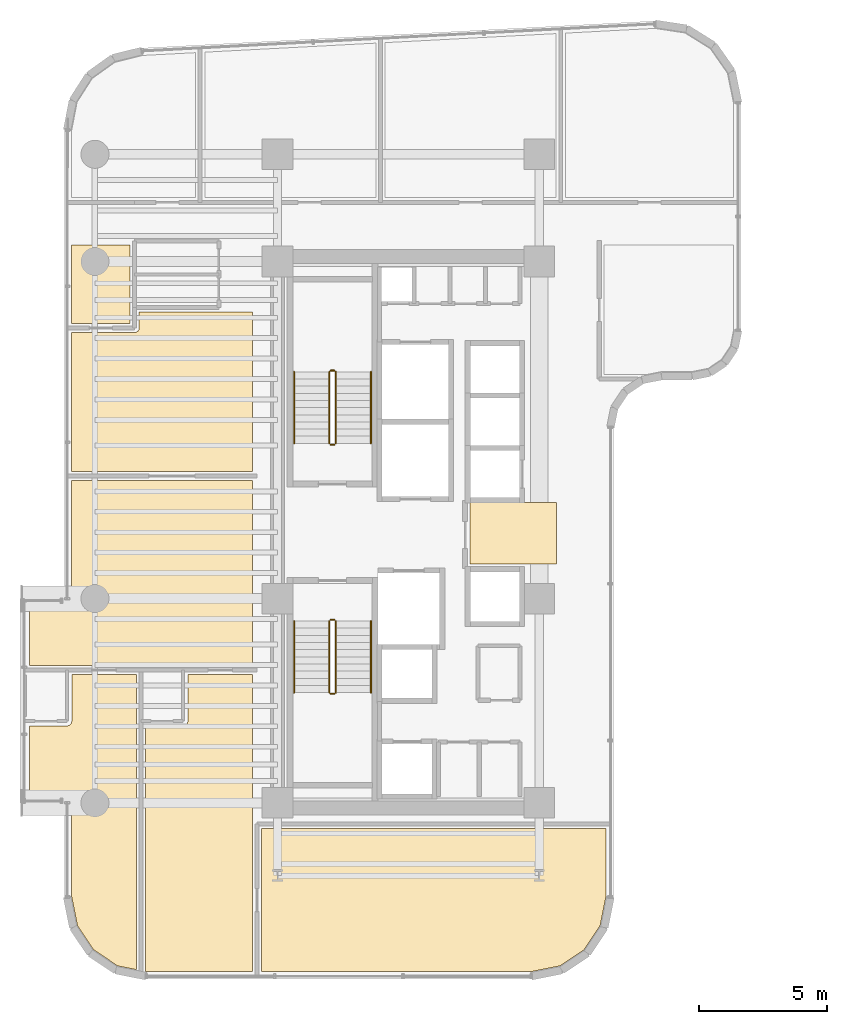
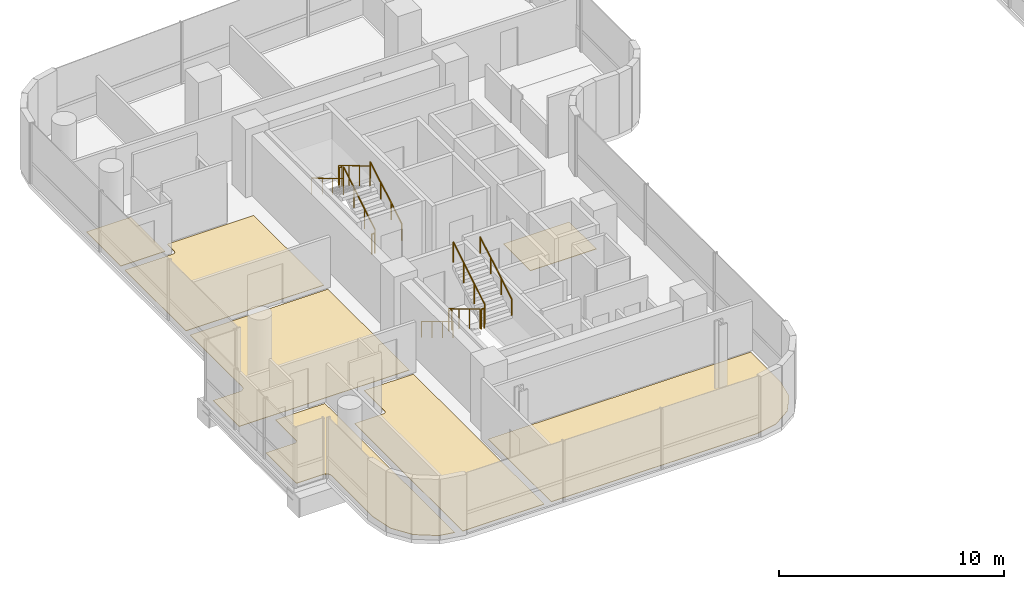
# One storey, part 32 of 35: 12 railings, 7 coverings.
"""IFC4 building model written with IfcOpenShell, lengths in metres."""

import ifcopenshell
import ifcopenshell.guid

model = None  # the IFC model being written
_history = None  # IfcOwnerHistory: only IFC2X3 demands one
_inside = {}  # id of a spatial element -> (the spatial element, [elements in it])
_under = {}  # id of a project, library or spatial element -> (it, [spatial elements below it])
_declared = {}  # id of a project -> (the project, [libraries it declares])
_typed = {}  # id of a type object -> (the type object, [elements of that type])
_made_of = {}  # id of a material, layer set ... -> (it, [elements and type objects made of it])


def new_model(schema):
    """Start an empty IFC model of exactly this schema.

    Asked for "IFC4X3", IfcOpenShell would pick the latest addendum, in which some entities
    have other attributes; the version numbers below select the first issue.
    IFC2X3 requires an IfcOwnerHistory on every rooted entity: one is made here for all.
    """
    global model, _history
    if schema == "IFC4X3":
        model = ifcopenshell.file(schema_version=(4, 3, 0, 0))
    else:
        model = ifcopenshell.file(schema=schema)
    _inside.clear()
    _under.clear()
    _declared.clear()
    _typed.clear()
    _made_of.clear()
    _history = None
    if model.schema == "IFC2X3":
        org = make("IfcOrganization", Name="unknown")
        user = make(
            "IfcPersonAndOrganization",
            ThePerson=make("IfcPerson", FamilyName="unknown"),
            TheOrganization=org,
        )
        app = make(
            "IfcApplication",
            ApplicationDeveloper=org,
            Version="unknown",
            ApplicationFullName="unknown",
            ApplicationIdentifier="unknown",
        )
        _history = make(
            "IfcOwnerHistory",
            OwningUser=user,
            OwningApplication=app,
            ChangeAction="ADDED",
            CreationDate=0,
        )
    return model


def make(cls, **values):
    """One entity of the class cls with the attributes given. An attribute that is None is left unset."""
    return model.create_entity(
        cls, **{name: value for name, value in values.items() if value is not None}
    )


def rooted(cls, **values):
    """An entity with a GlobalId (a new one), such as an element, a storey or a relation."""
    return make(cls, GlobalId=ifcopenshell.guid.new(), OwnerHistory=_history, **values)


def si_unit(unit_type, name, prefix=None):
    """IfcSIUnit, for example si_unit("LENGTHUNIT", "METRE", prefix="MILLI")."""
    return make("IfcSIUnit", UnitType=unit_type, Prefix=prefix, Name=name)


def assignment(units):
    """IfcUnitAssignment: the units of a project."""
    return None if units is None else make("IfcUnitAssignment", Units=units)


def point(xyz):
    """IfcCartesianPoint."""
    return None if xyz is None else make("IfcCartesianPoint", Coordinates=xyz)


def direction(xyz):
    """IfcDirection."""
    return None if xyz is None else make("IfcDirection", DirectionRatios=xyz)


def frame(location, z_axis=None, x_axis=None):
    """IfcAxis2Placement3D, a coordinate frame: its origin and axes. An axis left out is left unset."""
    return make(
        "IfcAxis2Placement3D",
        Location=point(location),
        Axis=direction(z_axis),
        RefDirection=direction(x_axis),
    )


def frame_2d(location, x_axis=None):
    """IfcAxis2Placement2D, a coordinate frame in the plane: its origin and x axis."""
    return make(
        "IfcAxis2Placement2D", Location=point(location), RefDirection=direction(x_axis)
    )


def origin():
    """The frame at (0, 0, 0) with its axes left unset."""
    return frame((0.0, 0.0, 0.0))


def origin_2d():
    """The frame at (0, 0) in the plane with its x axis left unset."""
    return frame_2d((0.0, 0.0))


def place(relative_to, where):
    """IfcLocalPlacement: puts the frame where relative to a parent placement (None: the world)."""
    return make(
        "IfcLocalPlacement", PlacementRelTo=relative_to, RelativePlacement=where
    )


def context(
    kind, dimensions, precision=None, world=None, true_north=None, identifier=None
):
    """IfcGeometricRepresentationContext, for example the 3D "Model" context."""
    return make(
        "IfcGeometricRepresentationContext",
        ContextIdentifier=identifier,
        ContextType=kind,
        CoordinateSpaceDimension=dimensions,
        Precision=precision,
        WorldCoordinateSystem=world,
        TrueNorth=true_north,
    )


def subcontext(parent, identifier, kind, view, scale=None):
    """IfcGeometricRepresentationSubContext, for example "Body" below "Model"."""
    return make(
        "IfcGeometricRepresentationSubContext",
        ContextIdentifier=identifier,
        ContextType=kind,
        ParentContext=parent,
        TargetScale=scale,
        TargetView=view,
    )


def project(units=None, contexts=None):
    """IfcProject with its units and contexts."""
    return rooted(
        "IfcProject",
        Name="project",
        RepresentationContexts=contexts,
        UnitsInContext=assignment(units),
    )


def spatial(cls, under=None, at=None, **own):
    """A site, building, storey or space (cls), placed at a placement, below another one or the project."""
    s = rooted(cls, ObjectPlacement=at, **own)
    if under is not None:
        _under.setdefault(under.id(), (under, []))[1].append(s)
    return s


def polyline(points):
    """IfcPolyline through the points."""
    return make("IfcPolyline", Points=[point(p) for p in points])


def profile(cls, at=None, kind="AREA", **sizes):
    """A parametric profile (cls). Its sizes go by their IFC names, for example OverallWidth=200.0."""
    return make(cls, ProfileType=kind, Position=at, **sizes)


def circle(**sizes):
    """IfcCircleProfileDef."""
    return profile("IfcCircleProfileDef", **sizes)


def outline(outer, holes=None, kind="AREA"):
    """IfcArbitraryClosedProfileDef: a profile drawn as a closed curve; with holes, ...WithVoids."""
    if holes is None:
        return make("IfcArbitraryClosedProfileDef", ProfileType=kind, OuterCurve=outer)
    return make(
        "IfcArbitraryProfileDefWithVoids",
        ProfileType=kind,
        OuterCurve=outer,
        InnerCurves=holes,
    )


def extrude(swept, where, along, depth):
    """IfcExtrudedAreaSolid: the profile swept, set in the frame where, extruded along a direction by depth."""
    return make(
        "IfcExtrudedAreaSolid",
        SweptArea=swept,
        Position=where,
        ExtrudedDirection=direction(along),
        Depth=depth,
    )


def shape(context_of_items, identifier, shape_type, items):
    """IfcShapeRepresentation: the items that make up one representation, for example the "Body"."""
    return make(
        "IfcShapeRepresentation",
        ContextOfItems=context_of_items,
        RepresentationIdentifier=identifier,
        RepresentationType=shape_type,
        Items=items,
    )


def material(Name=None, Category=None):
    """IfcMaterial."""
    return make("IfcMaterial", Name=Name, Category=Category)


def layer(
    of_material, thickness, ventilated=None, Name=None, Category=None, Priority=None
):
    """IfcMaterialLayer: one layer of a wall or slab, of a material (None: an air gap)."""
    return make(
        "IfcMaterialLayer",
        Material=of_material,
        LayerThickness=thickness,
        IsVentilated=ventilated,
        Name=Name,
        Category=Category,
        Priority=Priority,
    )


def layer_set(layers, Name=None):
    """IfcMaterialLayerSet."""
    return make("IfcMaterialLayerSet", MaterialLayers=layers, LayerSetName=Name)


def made_of(thing, what):
    """Note that an element or type object is made of a material, layer set ...; save() writes the relation."""
    if what is not None:
        _made_of.setdefault(what.id(), (what, []))[1].append(thing)
    return thing


def type_object(cls, material=None, **own):
    """A type object (cls), such as IfcWallType, which elements share."""
    return made_of(rooted(cls, **own), material)


def element(
    cls,
    number,
    at=None,
    inside=None,
    cuts=None,
    type_object=None,
    material=None,
    context=None,
    identifier="Body",
    shape_type=None,
    held_by="IfcProductDefinitionShape",
    body=None,
    shapes=None,
    **own,
):
    """One element of the class cls, such as IfcWall. Its Tag is "e" and its number.

    at: its placement. inside: the storey or other place that contains it. cuts: it is an
    opening in that element (IfcRelVoidsElement). A single representation is given by context,
    identifier, shape_type and body (its items); several are given by shapes. held_by: the class
    of the entity that holds the representations. save() writes the other relations.
    """
    e = rooted(cls, Tag="e%d" % number, ObjectPlacement=at, **own)
    if body is not None:
        shapes = [shape(context, identifier, shape_type, body)]
    if shapes is not None:
        e.Representation = make(held_by, Representations=shapes)
    if inside is not None:
        _inside.setdefault(inside.id(), (inside, []))[1].append(e)
    if cuts is not None:
        rooted(
            "IfcRelVoidsElement", RelatingBuildingElement=cuts, RelatedOpeningElement=e
        )
    if type_object is not None:
        _typed.setdefault(type_object.id(), (type_object, []))[1].append(e)
    return made_of(e, material)


def aggregate(whole, parts):
    """IfcRelAggregates: a whole, such as a stair, and the parts it consists of."""
    return rooted("IfcRelAggregates", RelatingObject=whole, RelatedObjects=parts)


def save(model, path):
    """Write the relations noted so far, then the file.

    IfcRelAggregates (storeys below a building ...), IfcRelContainedInSpatialStructure (elements
    in a storey), IfcRelDefinesByType, IfcRelAssociatesMaterial and IfcRelDeclares: one each for
    every whole, place, type object, material and project.
    """
    for whole, parts in _under.values():
        aggregate(whole, parts)
    for where, things in _inside.values():
        rooted(
            "IfcRelContainedInSpatialStructure",
            RelatedElements=things,
            RelatingStructure=where,
        )
    for kind, things in _typed.values():
        rooted("IfcRelDefinesByType", RelatedObjects=things, RelatingType=kind)
    for what, things in _made_of.values():
        rooted("IfcRelAssociatesMaterial", RelatedObjects=things, RelatingMaterial=what)
    for by, libraries in _declared.values():
        rooted("IfcRelDeclares", RelatingContext=by, RelatedDefinitions=libraries)
    model.write(path)


model = new_model("IFC4")

# Units and contexts
model_context = context("Model", 3, precision=1e-05, world=origin(), true_north=direction((0.0, 1.0)))
body_context = subcontext(model_context, "Body", "Model", "MODEL_VIEW")
ifc_project = project(units=[si_unit("LENGTHUNIT", "METRE"), si_unit("AREAUNIT", "SQUARE_METRE"), si_unit("VOLUMEUNIT", "CUBIC_METRE"), si_unit("PLANEANGLEUNIT", "RADIAN"), si_unit("MASSUNIT", "GRAM", prefix="KILO")], contexts=[model_context])

# Site, building, storey
site_placement = place(None, origin())
site = spatial("IfcSite", under=ifc_project, at=site_placement, CompositionType="ELEMENT")
building_placement = place(site_placement, origin())
building = spatial("IfcBuilding", under=site, at=building_placement, Name="Valdorenza Pilgrim Sanctuary Tower", CompositionType="ELEMENT")
storey_placement = place(building_placement, frame((0.0, 0.0, 168.60009765625)))
storey = spatial("IfcBuildingStorey", under=building, at=storey_placement, Name="L43", CompositionType="ELEMENT", Elevation=168.60009765625)

# Coverings
ifc_material_1 = material(Name="Engineered European oak timber flooring", Category="wood")
ifc_layer_1 = layer(ifc_material_1, 0.02197265625, Name="Engineered European oak timber flooring")
ifc_layer_set_1 = layer_set([ifc_layer_1], Name="Engineered European oak timber flooring")
covering_type_1 = type_object("IfcCoveringType", Name="COV-FLR-OAK", PredefinedType="FLOORING", material=ifc_layer_set_1)
covering_1_placement = place(storey_placement, origin())
element("IfcCovering", 1, at=covering_1_placement, inside=storey, type_object=covering_type_1, Name="L43 Pilgrim Guest Room L43-CS1A Flooring", PredefinedType="FLOORING", context=body_context, shape_type="SweptSolid", body=[
    extrude(outline(polyline([(-28.911376953125, -16.983154296875), (-29.853515625, -16.353515625), (-30.483154296875, -15.411376953125), (-30.7099609375, -14.271484375), (-30.7099609375, -10.60009765625), (-30.710205078125, -10.59130859375), (-30.710693359375, -10.580322265625), (-30.71240234375, -10.562744140625), (-30.714111328125, -10.552001953125), (-30.717529296875, -10.534912109375), (-30.72021484375, -10.5244140625), (-30.725341796875, -10.50732421875), (-30.72900390625, -10.497314453125), (-30.735595703125, -10.48095703125), (-30.740234375, -10.47119140625), (-30.74853515625, -10.45556640625), (-30.754150390625, -10.4462890625), (-30.763916015625, -10.431640625), (-30.7705078125, -10.423095703125), (-30.781494140625, -10.4091796875), (-30.788818359375, -10.4013671875), (-30.80126953125, -10.388916015625), (-30.809326171875, -10.381591796875), (-30.822998046875, -10.370361328125), (-30.831787109375, -10.364013671875), (-30.84619140625, -10.35400390625), (-30.855712890625, -10.3486328125), (-30.87109375, -10.34033203125), (-30.880859375, -10.335693359375), (-30.897216796875, -10.328857421875), (-30.907470703125, -10.3251953125), (-30.92431640625, -10.320068359375), (-30.934814453125, -10.3173828125), (-30.9521484375, -10.314208984375), (-30.962890625, -10.3125), (-30.98046875, -10.310791015625), (-30.9912109375, -10.310302734375), (-31.0, -10.31005859375), (-32.360107421875, -10.31005859375), (-32.360107421875, -7.58203125), (-30.889892578125, -7.58203125), (-30.881103515625, -7.581787109375), (-30.881103515625, -7.581787109375), (-30.86328125, -7.580078125), (-30.86328125, -7.580078125), (-30.845947265625, -7.57666015625), (-30.845703125, -7.576416015625), (-30.828857421875, -7.5712890625), (-30.82861328125, -7.5712890625), (-30.812255859375, -7.564697265625), (-30.81201171875, -7.564453125), (-30.79638671875, -7.55615234375), (-30.79638671875, -7.55615234375), (-30.78173828125, -7.546142578125), (-30.781494140625, -7.546142578125), (-30.767822265625, -7.534912109375), (-30.767578125, -7.534912109375), (-30.755126953125, -7.522216796875), (-30.755126953125, -7.522216796875), (-30.743896484375, -7.508544921875), (-30.743896484375, -7.50830078125), (-30.73388671875, -7.49365234375), (-30.73388671875, -7.493408203125), (-30.7255859375, -7.477783203125), (-30.725341796875, -7.477783203125), (-30.71875, -7.46142578125), (-30.718505859375, -7.461181640625), (-30.71337890625, -7.4443359375), (-30.71337890625, -7.444091796875), (-30.7099609375, -7.4267578125), (-30.7099609375, -7.426513671875), (-30.708251953125, -7.408935546875), (-30.708251953125, -7.40869140625), (-30.7080078125, -7.39990234375), (-30.7080078125, -5.580078125), (-28.175048828125, -5.580078125), (-28.175048828125, -17.129638671875), (-28.911376953125, -16.983154296875)])), origin(), (0.0, 0.0, 1.0), 0.02490234375),
])
covering_2_placement = place(storey_placement, origin())
element("IfcCovering", 2, at=covering_2_placement, inside=storey, type_object=covering_type_1, Name="L43 Pilgrim Guest Room L43-CS1B Flooring", PredefinedType="FLOORING", context=body_context, shape_type="SweptSolid", body=[
    extrude(outline(polyline([(-27.81298828125, -17.20166015625), (-27.81298828125, -7.58203125), (-26.344970703125, -7.58203125), (-26.336181640625, -7.581787109375), (-26.3359375, -7.581787109375), (-26.318359375, -7.580078125), (-26.318115234375, -7.580078125), (-26.30078125, -7.57666015625), (-26.30078125, -7.576416015625), (-26.28369140625, -7.5712890625), (-26.28369140625, -7.5712890625), (-26.267333984375, -7.564697265625), (-26.26708984375, -7.564453125), (-26.25146484375, -7.55615234375), (-26.25146484375, -7.55615234375), (-26.23681640625, -7.546142578125), (-26.236572265625, -7.546142578125), (-26.222900390625, -7.534912109375), (-26.22265625, -7.534912109375), (-26.210205078125, -7.522216796875), (-26.210205078125, -7.522216796875), (-26.198974609375, -7.508544921875), (-26.19873046875, -7.50830078125), (-26.18896484375, -7.49365234375), (-26.188720703125, -7.493408203125), (-26.180419921875, -7.477783203125), (-26.180419921875, -7.477783203125), (-26.173583984375, -7.46142578125), (-26.173583984375, -7.461181640625), (-26.16845703125, -7.4443359375), (-26.16845703125, -7.444091796875), (-26.1650390625, -7.4267578125), (-26.1650390625, -7.426513671875), (-26.1630859375, -7.408935546875), (-26.1630859375, -7.40869140625), (-26.1630859375, -7.39990234375), (-26.1630859375, -5.580078125), (-23.6298828125, -5.580078125), (-23.6298828125, -17.2099609375), (-27.771484375, -17.2099609375), (-27.81298828125, -17.20166015625)])), origin(), (0.0, 0.0, 1.0), 0.02490234375),
])
ifc_material_2 = material(Name="Honed travertine stone flooring", Category="masonry")
ifc_layer_2 = layer(ifc_material_2, 0.030029296875, Name="Honed travertine stone flooring")
ifc_layer_set_2 = layer_set([ifc_layer_2], Name="Honed travertine stone flooring")
covering_type_2 = type_object("IfcCoveringType", Name="COV-FLR-TRV", PredefinedType="FLOORING", material=ifc_layer_set_2)
covering_3_placement = place(storey_placement, origin())
element("IfcCovering", 3, at=covering_3_placement, inside=storey, type_object=covering_type_2, Name="L43 Core A Passenger Lift Lobby Flooring", PredefinedType="FLOORING", context=body_context, shape_type="SweptSolid", body=[
    extrude(outline(polyline([(-15.117919921875, 1.169189453125), (-15.10888671875, 1.168212890625), (-15.10888671875, 1.168212890625), (-15.10009765625, 1.16796875), (-13.179931640625, 1.16796875), (-13.1796875, 1.16796875), (-11.72998046875, 1.169921875), (-11.72998046875, -1.239990234375), (-15.117919921875, -1.239990234375), (-15.117919921875, 1.169189453125)])), origin(), (0.0, 0.0, 1.0), 0.02490234375),
])
covering_4_placement = place(storey_placement, origin())
element("IfcCovering", 4, at=covering_4_placement, inside=storey, type_object=covering_type_2, Name="L43 Pastoral Scholar Office L43-CN1 Flooring", PredefinedType="FLOORING", context=body_context, shape_type="SweptSolid", body=[
    extrude(outline(polyline([(-28.431884765625, 11.239990234375), (-28.431884765625, 10.10205078125), (-28.431884765625, 10.10107421875), (-28.431884765625, 10.100341796875), (-28.431884765625, 10.10009765625), (-28.431884765625, 8.800048828125), (-28.431884765625, 8.799560546875), (-28.430419921875, 8.179931640625), (-30.7099609375, 8.179931640625), (-30.7099609375, 11.239990234375), (-28.431884765625, 11.239990234375)])), origin(), (0.0, 0.0, 1.0), 0.02490234375),
])
covering_5_placement = place(storey_placement, origin())
element("IfcCovering", 5, at=covering_5_placement, inside=storey, type_object=covering_type_2, Name="L43 Sanctuary Tea Lounge L43 Flooring", PredefinedType="FLOORING", context=body_context, shape_type="SweptSolid", body=[
    extrude(outline(polyline([(-30.8896484375, -5.218017578125), (-30.889892578125, -5.218017578125), (-32.360107421875, -5.218017578125), (-32.360107421875, -2.889892578125), (-31.0, -2.889892578125), (-30.9912109375, -2.889892578125), (-30.98046875, -2.889404296875), (-30.962890625, -2.887451171875), (-30.9521484375, -2.885986328125), (-30.934814453125, -2.882568359375), (-30.92431640625, -2.8798828125), (-30.907470703125, -2.874755859375), (-30.897216796875, -2.87109375), (-30.880859375, -2.8642578125), (-30.87109375, -2.859619140625), (-30.855712890625, -2.851318359375), (-30.84619140625, -2.845947265625), (-30.831787109375, -2.8359375), (-30.822998046875, -2.82958984375), (-30.809326171875, -2.818359375), (-30.80126953125, -2.811279296875), (-30.788818359375, -2.798583984375), (-30.781494140625, -2.790771484375), (-30.7705078125, -2.777099609375), (-30.763916015625, -2.768310546875), (-30.754150390625, -2.753662109375), (-30.74853515625, -2.744384765625), (-30.740234375, -2.728759765625), (-30.735595703125, -2.718994140625), (-30.72900390625, -2.70263671875), (-30.725341796875, -2.692626953125), (-30.72021484375, -2.67578125), (-30.717529296875, -2.665283203125), (-30.714111328125, -2.64794921875), (-30.71240234375, -2.63720703125), (-30.710693359375, -2.61962890625), (-30.710205078125, -2.60888671875), (-30.7099609375, -2.60009765625), (-30.7099609375, 2.02001953125), (-23.6298828125, 2.02001953125), (-23.6298828125, -5.218017578125), (-26.343017578125, -5.218017578125), (-26.343994140625, -5.218017578125), (-26.3447265625, -5.218017578125), (-26.344970703125, -5.218017578125), (-27.992919921875, -5.218017578125), (-27.993896484375, -5.218017578125), (-27.99462890625, -5.218017578125), (-27.9951171875, -5.218017578125), (-30.887939453125, -5.218017578125), (-30.888916015625, -5.218017578125), (-30.8896484375, -5.218017578125)])), origin(), (0.0, 0.0, 1.0), 0.02490234375),
])
covering_6_placement = place(storey_placement, origin())
element("IfcCovering", 6, at=covering_6_placement, inside=storey, type_object=covering_type_2, Name="L43 Contemplative Movement Studio L43 Flooring", PredefinedType="FLOORING", context=body_context, shape_type="SweptSolid", body=[
    extrude(outline(polyline([(-23.6298828125, 8.619873046875), (-23.6298828125, 2.382080078125), (-30.7099609375, 2.382080078125), (-30.7099609375, 7.818115234375), (-28.25, 7.818115234375), (-28.2412109375, 7.818115234375), (-28.240966796875, 7.818115234375), (-28.223388671875, 7.820068359375), (-28.22314453125, 7.820068359375), (-28.205810546875, 7.823486328125), (-28.205810546875, 7.823486328125), (-28.188720703125, 7.82861328125), (-28.188720703125, 7.82861328125), (-28.17236328125, 7.83544921875), (-28.172119140625, 7.83544921875), (-28.156494140625, 7.84375), (-28.156494140625, 7.843994140625), (-28.1416015625, 7.853759765625), (-28.1416015625, 7.85400390625), (-28.1279296875, 7.864990234375), (-28.127685546875, 7.865234375), (-28.115234375, 7.877685546875), (-28.114990234375, 7.8779296875), (-28.10400390625, 7.8916015625), (-28.103759765625, 7.8916015625), (-28.093994140625, 7.906494140625), (-28.09375, 7.906494140625), (-28.08544921875, 7.922119140625), (-28.08544921875, 7.92236328125), (-28.07861328125, 7.938720703125), (-28.07861328125, 7.938720703125), (-28.073486328125, 7.955810546875), (-28.073486328125, 7.955810546875), (-28.070068359375, 7.97314453125), (-28.070068359375, 7.973388671875), (-28.068115234375, 7.990966796875), (-28.068115234375, 7.9912109375), (-28.068115234375, 8.0), (-28.068115234375, 8.617919921875), (-24.949951171875, 8.617919921875), (-24.94970703125, 8.617919921875), (-23.6298828125, 8.619873046875)])), origin(), (0.0, 0.0, 1.0), 0.02490234375),
])
covering_7_placement = place(storey_placement, origin())
element("IfcCovering", 7, at=covering_7_placement, inside=storey, type_object=covering_type_2, Name="L43 South Panoramic Viewing Salon L43 Flooring", PredefinedType="FLOORING", context=body_context, shape_type="SweptSolid", body=[
    extrude(outline(polyline([(-9.7900390625, -11.60009765625), (-9.7900390625, -14.271484375), (-10.016845703125, -15.411376953125), (-10.646484375, -16.353515625), (-11.588623046875, -16.983154296875), (-12.728515625, -17.2099609375), (-23.26806640625, -17.2099609375), (-23.26806640625, -11.60009765625), (-9.7900390625, -11.60009765625)])), origin(), (0.0, 0.0, 1.0), 0.02490234375),
])

# Railings
ifc_material_3 = material(Name="Stainless steel Grade 316", Category="steel")
railing_type_1 = type_object("IfcRailingType", Name="RLG-GRD-1120", PredefinedType="GUARDRAIL", material=ifc_material_3)
railing_1_placement = place(storey_placement, frame((-20.3701171875, 3.47998046875, 0.16796875)))
element("IfcRailing", 8, at=railing_1_placement, inside=storey, type_object=railing_type_1, Name="L43 ST-A1 stair guard 1", PredefinedType="GUARDRAIL", context=body_context, shape_type="SweptSolid", body=[
    extrude(circle(Radius=0.02392578125, at=origin_2d()), frame((0.0, 0.0, 1.076171875), z_axis=(0.0, 0.857242210791, 0.514913383045), x_axis=(-1.0, 0.0, 0.0)), (0.0, 0.0, 1.0), 3.266357421875),
    extrude(circle(Radius=0.02099609375, at=origin_2d()), origin(), (0.0, 0.0, 1.0), 1.052001953125),
    extrude(circle(Radius=0.02099609375, at=origin_2d()), frame((0.0, 0.933349609375, 0.560546875)), (0.0, 0.0, 1.0), 1.052001953125),
    extrude(circle(Radius=0.02099609375, at=origin_2d()), frame((0.0, 1.86669921875, 1.121337890625)), (0.0, 0.0, 1.0), 1.052001953125),
    extrude(circle(Radius=0.02099609375, at=origin_2d()), frame((0.0, 2.800048828125, 1.681884765625)), (0.0, 0.0, 1.0), 1.052001953125),
])
railing_2_placement = place(storey_placement, frame((-20.419921875, 6.330078125, 1.849853515625)))
element("IfcRailing", 9, at=railing_2_placement, inside=storey, type_object=railing_type_1, Name="L43 ST-A1 stair guard 2", PredefinedType="GUARDRAIL", context=body_context, shape_type="SweptSolid", body=[
    extrude(circle(Radius=0.02392578125, at=origin_2d()), frame((0.0, 0.0, 1.076171875), z_axis=(-1.0, 0.0, 0.0), x_axis=(0.0, -1.0, 0.0)), (0.0, 0.0, 1.0), 0.150146484375),
    extrude(circle(Radius=0.02099609375, at=origin_2d()), origin(), (0.0, 0.0, 1.0), 1.052001953125),
    extrude(circle(Radius=0.02099609375, at=origin_2d()), frame((-0.150146484375, 0.0, 0.0)), (0.0, 0.0, 1.0), 1.052001953125),
])
railing_3_placement = place(storey_placement, frame((-20.6201171875, 6.280029296875, 2.01806640625)))
element("IfcRailing", 10, at=railing_3_placement, inside=storey, type_object=railing_type_1, Name="L43 ST-A1 stair guard 3", PredefinedType="GUARDRAIL", context=body_context, shape_type="SweptSolid", body=[
    extrude(circle(Radius=0.02392578125, at=origin_2d()), frame((0.0, 0.0, 1.076171875), z_axis=(0.0, -0.857242210791, 0.514913383045), x_axis=(1.0, 0.0, 0.0)), (0.0, 0.0, 1.0), 3.266357421875),
    extrude(circle(Radius=0.02099609375, at=origin_2d()), origin(), (0.0, 0.0, 1.0), 1.052001953125),
    extrude(circle(Radius=0.02099609375, at=origin_2d()), frame((0.0, -0.933349609375, 0.560546875)), (0.0, 0.0, 1.0), 1.052001953125),
    extrude(circle(Radius=0.02099609375, at=origin_2d()), frame((0.0, -1.86669921875, 1.121337890625)), (0.0, 0.0, 1.0), 1.052001953125),
    extrude(circle(Radius=0.02099609375, at=origin_2d()), frame((0.0, -2.800048828125, 1.681884765625)), (0.0, 0.0, 1.0), 1.052001953125),
])
railing_4_placement = place(storey_placement, frame((-20.419921875, 3.429931640625, 0.0)))
element("IfcRailing", 11, at=railing_4_placement, inside=storey, type_object=railing_type_1, Name="L43 ST-A1 stair guard 4", PredefinedType="GUARDRAIL", context=body_context, shape_type="SweptSolid", body=[
    extrude(circle(Radius=0.02392578125, at=origin_2d()), frame((0.0, 0.0, 1.076171875), z_axis=(-1.0, 0.0, 0.0), x_axis=(0.0, -1.0, 0.0)), (0.0, 0.0, 1.0), 0.150146484375),
    extrude(circle(Radius=0.02099609375, at=origin_2d()), origin(), (0.0, 0.0, 1.0), 1.052001953125),
    extrude(circle(Radius=0.02099609375, at=origin_2d()), frame((-0.150146484375, 0.0, 0.0)), (0.0, 0.0, 1.0), 1.052001953125),
])
railing_5_placement = place(storey_placement, frame((-20.6201171875, -3.47998046875, 0.16796875)))
element("IfcRailing", 12, at=railing_5_placement, inside=storey, type_object=railing_type_1, Name="L43 ST-A2 stair guard 1", PredefinedType="GUARDRAIL", context=body_context, shape_type="SweptSolid", body=[
    extrude(circle(Radius=0.02392578125, at=origin_2d()), frame((0.0, 0.0, 1.076171875), z_axis=(0.0, -0.857242210791, 0.514913383045), x_axis=(1.0, 0.0, 0.0)), (0.0, 0.0, 1.0), 3.266357421875),
    extrude(circle(Radius=0.02099609375, at=origin_2d()), origin(), (0.0, 0.0, 1.0), 1.052001953125),
    extrude(circle(Radius=0.02099609375, at=origin_2d()), frame((0.0, -0.933349609375, 0.560546875)), (0.0, 0.0, 1.0), 1.052001953125),
    extrude(circle(Radius=0.02099609375, at=origin_2d()), frame((0.0, -1.86669921875, 1.121337890625)), (0.0, 0.0, 1.0), 1.052001953125),
    extrude(circle(Radius=0.02099609375, at=origin_2d()), frame((0.0, -2.800048828125, 1.681884765625)), (0.0, 0.0, 1.0), 1.052001953125),
])
railing_6_placement = place(storey_placement, frame((-20.570068359375, -6.330078125, 1.849853515625)))
element("IfcRailing", 13, at=railing_6_placement, inside=storey, type_object=railing_type_1, Name="L43 ST-A2 stair guard 2", PredefinedType="GUARDRAIL", context=body_context, shape_type="SweptSolid", body=[
    extrude(circle(Radius=0.02392578125, at=origin_2d()), frame((0.0, 0.0, 1.076171875), z_axis=(1.0, 0.0, 0.0), x_axis=(0.0, 1.0, 0.0)), (0.0, 0.0, 1.0), 0.150146484375),
    extrude(circle(Radius=0.02099609375, at=origin_2d()), origin(), (0.0, 0.0, 1.0), 1.052001953125),
    extrude(circle(Radius=0.02099609375, at=origin_2d()), frame((0.150146484375, 0.0, 0.0)), (0.0, 0.0, 1.0), 1.052001953125),
])
railing_7_placement = place(storey_placement, frame((-20.3701171875, -6.280029296875, 2.01806640625)))
element("IfcRailing", 14, at=railing_7_placement, inside=storey, type_object=railing_type_1, Name="L43 ST-A2 stair guard 3", PredefinedType="GUARDRAIL", context=body_context, shape_type="SweptSolid", body=[
    extrude(circle(Radius=0.02392578125, at=origin_2d()), frame((0.0, 0.0, 1.076171875), z_axis=(0.0, 0.857242210791, 0.514913383045), x_axis=(-1.0, 0.0, 0.0)), (0.0, 0.0, 1.0), 3.266357421875),
    extrude(circle(Radius=0.02099609375, at=origin_2d()), origin(), (0.0, 0.0, 1.0), 1.052001953125),
    extrude(circle(Radius=0.02099609375, at=origin_2d()), frame((0.0, 0.933349609375, 0.560546875)), (0.0, 0.0, 1.0), 1.052001953125),
    extrude(circle(Radius=0.02099609375, at=origin_2d()), frame((0.0, 1.86669921875, 1.121337890625)), (0.0, 0.0, 1.0), 1.052001953125),
    extrude(circle(Radius=0.02099609375, at=origin_2d()), frame((0.0, 2.800048828125, 1.681884765625)), (0.0, 0.0, 1.0), 1.052001953125),
])
railing_8_placement = place(storey_placement, frame((-20.570068359375, -3.429931640625, 0.0)))
element("IfcRailing", 15, at=railing_8_placement, inside=storey, type_object=railing_type_1, Name="L43 ST-A2 stair guard 4", PredefinedType="GUARDRAIL", context=body_context, shape_type="SweptSolid", body=[
    extrude(circle(Radius=0.02392578125, at=origin_2d()), frame((0.0, 0.0, 1.076171875), z_axis=(1.0, 0.0, 0.0), x_axis=(0.0, 1.0, 0.0)), (0.0, 0.0, 1.0), 0.150146484375),
    extrude(circle(Radius=0.02099609375, at=origin_2d()), origin(), (0.0, 0.0, 1.0), 1.052001953125),
    extrude(circle(Radius=0.02099609375, at=origin_2d()), frame((0.150146484375, 0.0, 0.0)), (0.0, 0.0, 1.0), 1.052001953125),
])
ifc_material_4 = material(Name="Brushed stainless steel Grade 316", Category="steel")
railing_type_2 = type_object("IfcRailingType", Name="RLG-HND-920", PredefinedType="HANDRAIL", material=ifc_material_4)
railing_9_placement = place(storey_placement, frame((-18.989990234375, 3.47998046875, 0.16796875)))
element("IfcRailing", 16, at=railing_9_placement, inside=storey, type_object=railing_type_2, Name="L43 ST-A1 stair handrail 1", PredefinedType="HANDRAIL", context=body_context, shape_type="SweptSolid", body=[
    extrude(circle(Radius=0.02392578125, at=origin_2d()), frame((0.0, 0.0, 0.8759765625), z_axis=(0.0, 0.857242210791, 0.514913383045), x_axis=(-1.0, 0.0, 0.0)), (0.0, 0.0, 1.0), 3.266357421875),
    extrude(circle(Radius=0.02099609375, at=origin_2d()), origin(), (0.0, 0.0, 1.0), 0.851806640625),
    extrude(circle(Radius=0.02099609375, at=origin_2d()), frame((0.0, 0.933349609375, 0.560546875)), (0.0, 0.0, 1.0), 0.851806640625),
    extrude(circle(Radius=0.02099609375, at=origin_2d()), frame((0.0, 1.86669921875, 1.121337890625)), (0.0, 0.0, 1.0), 0.851806640625),
    extrude(circle(Radius=0.02099609375, at=origin_2d()), frame((0.0, 2.800048828125, 1.681884765625)), (0.0, 0.0, 1.0), 0.851806640625),
])
for number, where, name in (
    (17, (-22.0, 6.280029296875, 2.01806640625), "L43 ST-A1 stair handrail 2"),
    (18, (-22.0, -3.47998046875, 0.16796875), "L43 ST-A2 stair handrail 1"),
):
    element("IfcRailing", number, at=place(storey_placement, frame(where)), inside=storey, type_object=railing_type_2, Name=name, PredefinedType="HANDRAIL", context=body_context, shape_type="SweptSolid", body=[
        extrude(circle(Radius=0.02392578125, at=origin_2d()), frame((0.0, 0.0, 0.8759765625), z_axis=(0.0, -0.857242210791, 0.514913383045), x_axis=(1.0, 0.0, 0.0)), (0.0, 0.0, 1.0), 3.266357421875),
        extrude(circle(Radius=0.02099609375, at=origin_2d()), origin(), (0.0, 0.0, 1.0), 0.851806640625),
        extrude(circle(Radius=0.02099609375, at=origin_2d()), frame((0.0, -0.933349609375, 0.560546875)), (0.0, 0.0, 1.0), 0.851806640625),
        extrude(circle(Radius=0.02099609375, at=origin_2d()), frame((0.0, -1.86669921875, 1.121337890625)), (0.0, 0.0, 1.0), 0.851806640625),
        extrude(circle(Radius=0.02099609375, at=origin_2d()), frame((0.0, -2.800048828125, 1.681884765625)), (0.0, 0.0, 1.0), 0.851806640625),
    ])
railing_10_placement = place(storey_placement, frame((-18.989990234375, -6.280029296875, 2.01806640625)))
element("IfcRailing", 19, at=railing_10_placement, inside=storey, type_object=railing_type_2, Name="L43 ST-A2 stair handrail 2", PredefinedType="HANDRAIL", context=body_context, shape_type="SweptSolid", body=[
    extrude(circle(Radius=0.02392578125, at=origin_2d()), frame((0.0, 0.0, 0.8759765625), z_axis=(0.0, 0.857242210791, 0.514913383045), x_axis=(-1.0, 0.0, 0.0)), (0.0, 0.0, 1.0), 3.266357421875),
    extrude(circle(Radius=0.02099609375, at=origin_2d()), origin(), (0.0, 0.0, 1.0), 0.851806640625),
    extrude(circle(Radius=0.02099609375, at=origin_2d()), frame((0.0, 0.933349609375, 0.560546875)), (0.0, 0.0, 1.0), 0.851806640625),
    extrude(circle(Radius=0.02099609375, at=origin_2d()), frame((0.0, 1.86669921875, 1.121337890625)), (0.0, 0.0, 1.0), 0.851806640625),
    extrude(circle(Radius=0.02099609375, at=origin_2d()), frame((0.0, 2.800048828125, 1.681884765625)), (0.0, 0.0, 1.0), 0.851806640625),
])

save(model, "model.ifc")
